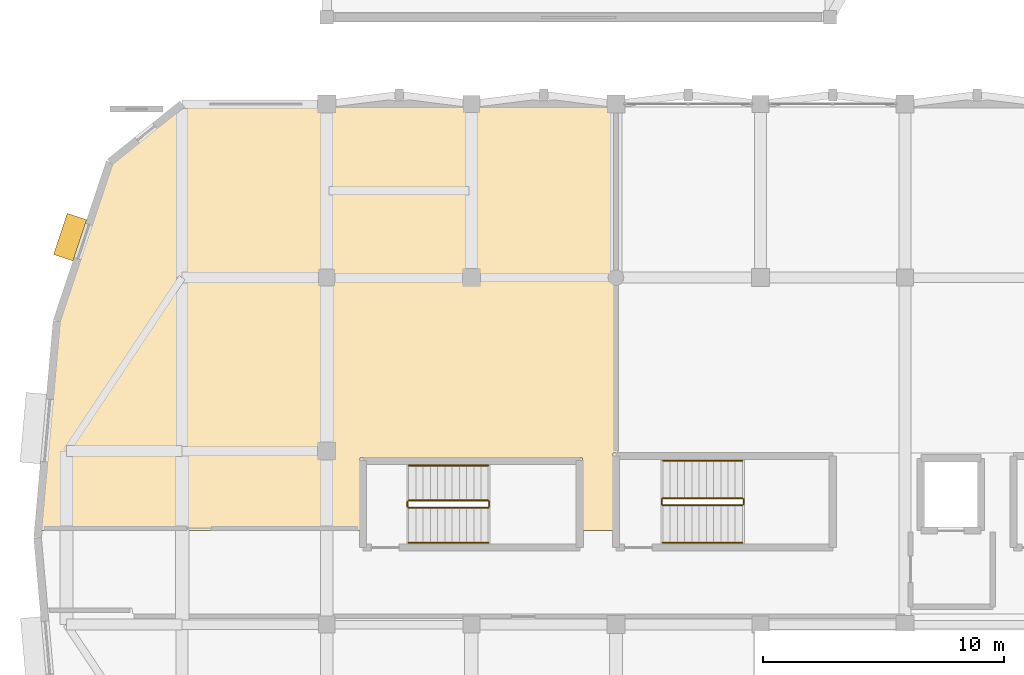
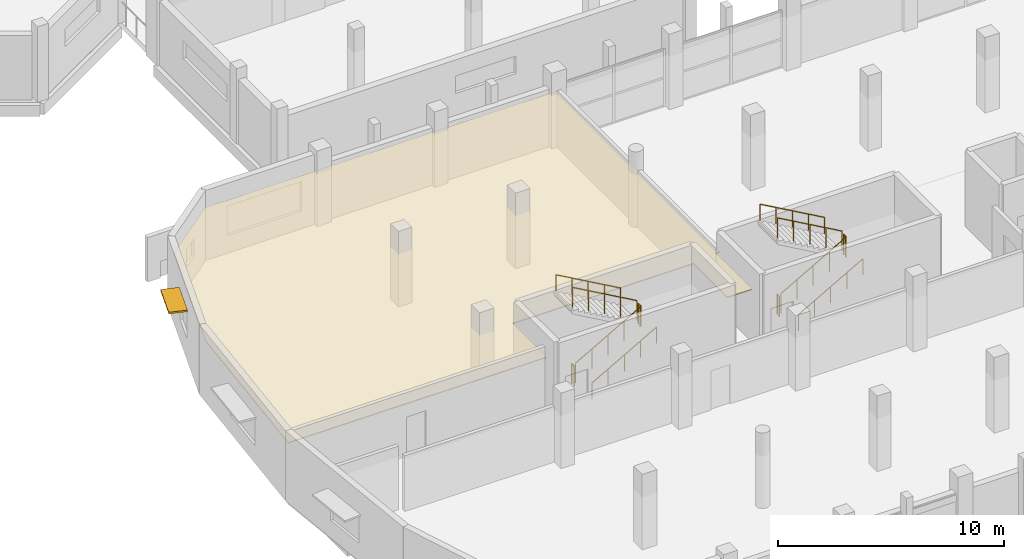
# One storey, part 115 of 127: 12 railings, 1 covering, 1 shading device.
"""IFC4 building model written with IfcOpenShell, lengths in metres."""

from ifc_helpers import new_model, si_unit, direction, frame, origin, origin_2d, place, context, subcontext, project, spatial, polyline, rectangle, circle, outline, extrude, material, layer, layer_set, type_object, element, save


model = new_model("IFC4")

# Units and contexts
model_context = context("Model", 3, precision=1e-05, world=origin(), true_north=direction((0.0, 1.0)))
body_context = subcontext(model_context, "Body", "Model", "MODEL_VIEW")
ifc_project = project(units=[si_unit("LENGTHUNIT", "METRE"), si_unit("AREAUNIT", "SQUARE_METRE"), si_unit("VOLUMEUNIT", "CUBIC_METRE"), si_unit("PLANEANGLEUNIT", "RADIAN"), si_unit("MASSUNIT", "GRAM", prefix="KILO")], contexts=[model_context])

# Site, building, storey
site_placement = place(None, origin())
site = spatial("IfcSite", under=ifc_project, at=site_placement, CompositionType="ELEMENT")
building_placement = place(site_placement, origin())
building = spatial("IfcBuilding", under=site, at=building_placement, Name="Dunvalen Ferry Terminal", CompositionType="ELEMENT")
storey_placement = place(building_placement, frame((0.0, 0.0, 5.760009765625)))
storey = spatial("IfcBuildingStorey", under=building, at=storey_placement, Name="L01", CompositionType="ELEMENT", Elevation=5.760009765625)

# Shading device
ifc_material_1 = material(Name="Anodised marine aluminium EN AW-6063 T6", Category="aluminium")
ifc_layer_1 = layer(ifc_material_1, 0.090087890625, Name="Anodised marine aluminium EN AW-6063 T6")
ifc_layer_set_1 = layer_set([ifc_layer_1], Name="Anodised marine aluminium EN AW-6063 T6")
shading_device_type = type_object("IfcShadingDeviceType", Name="ENV-SHD-AWN01", PredefinedType="AWNING", material=ifc_layer_set_1)
shading_device_placement = place(storey_placement, frame((1.3505859375, 30.47802734375, 2.68505859375), z_axis=(0.0, 0.0, 1.0), x_axis=(-0.316232085723, -0.948681858138, 0.0)))
element("IfcShadingDevice", 1, at=shading_device_placement, inside=storey, type_object=shading_device_type, Name="L01 Streamline Brise-Soleil Eyebrow 018", PredefinedType="AWNING", context=body_context, shape_type="SweptSolid", body=[
    extrude(rectangle(XDim=1.800048828125, YDim=0.85009765625, at=origin_2d()), origin(), (0.0, 0.0, 1.0), 0.090087890625),
])

# Covering
ifc_material_2 = material(Name="Moisture-resistant mineral-fibre acoustic ceiling", Category="gypsum")
ifc_layer_2 = layer(ifc_material_2, 0.050048828125, Name="Moisture-resistant mineral-fibre acoustic ceiling")
ifc_layer_set_2 = layer_set([ifc_layer_2], Name="Moisture-resistant mineral-fibre acoustic ceiling")
covering_type = type_object("IfcCoveringType", Name="INT-COV-CLG02", PredefinedType="CEILING", material=ifc_layer_set_2)
covering_placement = place(storey_placement, frame((0.0, 0.0, 2.800048828125)))
element("IfcCovering", 2, at=covering_placement, inside=storey, type_object=covering_type, Name="L01 Marine Safety Equipment Store Acoustic Suspended Ceiling", PredefinedType="CEILING", context=body_context, shape_type="SweptSolid", body=[
    extrude(outline(polyline([(22.6201171875, 21.3173828125), (22.6201171875, 18.31005859375), (23.8798828125, 18.31005859375), (23.88037109375, 21.51806640625), (24.090087890625, 21.521484375), (24.090087890625, 35.8701171875), (6.0458984375, 35.8701171875), (3.111328125, 33.51123046875), (0.931884765625, 26.973388671875), (0.158203125, 18.31005859375), (13.3798828125, 18.31005859375), (13.3798828125, 21.3154296875), (22.6201171875, 21.3173828125)])), origin(), (0.0, 0.0, 1.0), 0.050048828125),
])

# Railings
ifc_material_3 = material(Name="Painted galvanised steel S275", Category="steel")
railing_type_1 = type_object("IfcRailingType", Name="INT-RL-STGRD", PredefinedType="GUARDRAIL", material=ifc_material_3)
railing_1_placement = place(storey_placement, frame((25.949951171875, 19.35009765625, 0.169921875)))
element("IfcRailing", 3, at=railing_1_placement, inside=storey, type_object=railing_type_1, Name="L01 ST1 stair guard 1", PredefinedType="GUARDRAIL", context=body_context, shape_type="SweptSolid", body=[
    extrude(circle(Radius=0.02392578125, at=origin_2d()), frame((0.0, 0.0, 1.076171875), z_axis=(0.870012062771, 0.0, 0.493030435808), x_axis=(0.0, 1.0, 0.0)), (0.0, 0.0, 1.0), 3.793212890625),
    extrude(circle(Radius=0.02099609375, at=origin_2d()), origin(), (0.0, 0.0, 1.0), 1.052001953125),
    extrude(circle(Radius=0.02099609375, at=origin_2d()), frame((0.824951171875, 0.0, 0.467529296875)), (0.0, 0.0, 1.0), 1.052001953125),
    extrude(circle(Radius=0.02099609375, at=origin_2d()), frame((1.64990234375, 0.0, 0.93505859375)), (0.0, 0.0, 1.0), 1.052001953125),
    extrude(circle(Radius=0.02099609375, at=origin_2d()), frame((2.47509765625, 0.0, 1.402587890625)), (0.0, 0.0, 1.0), 1.052001953125),
    extrude(circle(Radius=0.02099609375, at=origin_2d()), frame((3.300048828125, 0.0, 1.8701171875)), (0.0, 0.0, 1.0), 1.052001953125),
])
railing_2_placement = place(storey_placement, frame((29.300048828125, 19.39990234375, 2.0400390625)))
element("IfcRailing", 4, at=railing_2_placement, inside=storey, type_object=railing_type_1, Name="L01 ST1 stair guard 2", PredefinedType="GUARDRAIL", context=body_context, shape_type="SweptSolid", body=[
    extrude(circle(Radius=0.02392578125, at=origin_2d()), frame((0.0, 0.0, 1.076171875), z_axis=(0.0, 1.0, 0.0), x_axis=(-1.0, 0.0, 0.0)), (0.0, 0.0, 1.0), 0.2001953125),
    extrude(circle(Radius=0.02099609375, at=origin_2d()), origin(), (0.0, 0.0, 1.0), 1.052001953125),
    extrude(circle(Radius=0.02099609375, at=origin_2d()), frame((0.0, 0.2001953125, 0.0)), (0.0, 0.0, 1.0), 1.052001953125),
])
railing_3_placement = place(storey_placement, frame((29.25, 19.64990234375, 2.2099609375)))
element("IfcRailing", 5, at=railing_3_placement, inside=storey, type_object=railing_type_1, Name="L01 ST1 stair guard 3", PredefinedType="GUARDRAIL", context=body_context, shape_type="SweptSolid", body=[
    extrude(circle(Radius=0.02392578125, at=origin_2d()), frame((0.0, 0.0, 1.076171875), z_axis=(-0.870012062771, 0.0, 0.493030435808), x_axis=(0.0, -1.0, 0.0)), (0.0, 0.0, 1.0), 3.793212890625),
    extrude(circle(Radius=0.02099609375, at=origin_2d()), origin(), (0.0, 0.0, 1.0), 1.052001953125),
    extrude(circle(Radius=0.02099609375, at=origin_2d()), frame((-0.824951171875, 0.0, 0.467529296875)), (0.0, 0.0, 1.0), 1.052001953125),
    extrude(circle(Radius=0.02099609375, at=origin_2d()), frame((-1.64990234375, 0.0, 0.93505859375)), (0.0, 0.0, 1.0), 1.052001953125),
    extrude(circle(Radius=0.02099609375, at=origin_2d()), frame((-2.47509765625, 0.0, 1.402587890625)), (0.0, 0.0, 1.0), 1.052001953125),
    extrude(circle(Radius=0.02099609375, at=origin_2d()), frame((-3.300048828125, 0.0, 1.8701171875)), (0.0, 0.0, 1.0), 1.052001953125),
])
railing_4_placement = place(storey_placement, frame((25.89990234375, 19.39990234375, 0.0)))
element("IfcRailing", 6, at=railing_4_placement, inside=storey, type_object=railing_type_1, Name="L01 ST1 stair guard 4", PredefinedType="GUARDRAIL", context=body_context, shape_type="SweptSolid", body=[
    extrude(circle(Radius=0.02392578125, at=origin_2d()), frame((0.0, 0.0, 1.076171875), z_axis=(0.0, 1.0, 0.0), x_axis=(-1.0, 0.0, 0.0)), (0.0, 0.0, 1.0), 0.2001953125),
    extrude(circle(Radius=0.02099609375, at=origin_2d()), origin(), (0.0, 0.0, 1.0), 1.052001953125),
    extrude(circle(Radius=0.02099609375, at=origin_2d()), frame((0.0, 0.2001953125, 0.0)), (0.0, 0.0, 1.0), 1.052001953125),
])
railing_5_placement = place(storey_placement, frame((15.39990234375, 19.25, 0.169921875)))
element("IfcRailing", 7, at=railing_5_placement, inside=storey, type_object=railing_type_1, Name="L01 ST5 stair guard 1", PredefinedType="GUARDRAIL", context=body_context, shape_type="SweptSolid", body=[
    extrude(circle(Radius=0.02392578125, at=origin_2d()), frame((0.0, 0.0, 1.076171875), z_axis=(0.870012062771, 0.0, 0.493030435808), x_axis=(0.0, 1.0, 0.0)), (0.0, 0.0, 1.0), 3.793212890625),
    extrude(circle(Radius=0.02099609375, at=origin_2d()), origin(), (0.0, 0.0, 1.0), 1.052001953125),
    extrude(circle(Radius=0.02099609375, at=origin_2d()), frame((0.824951171875, 0.0, 0.467529296875)), (0.0, 0.0, 1.0), 1.052001953125),
    extrude(circle(Radius=0.02099609375, at=origin_2d()), frame((1.64990234375, 0.0, 0.93505859375)), (0.0, 0.0, 1.0), 1.052001953125),
    extrude(circle(Radius=0.02099609375, at=origin_2d()), frame((2.47509765625, 0.0, 1.402587890625)), (0.0, 0.0, 1.0), 1.052001953125),
    extrude(circle(Radius=0.02099609375, at=origin_2d()), frame((3.300048828125, 0.0, 1.8701171875)), (0.0, 0.0, 1.0), 1.052001953125),
])
railing_6_placement = place(storey_placement, frame((18.75, 19.300048828125, 2.0400390625)))
element("IfcRailing", 8, at=railing_6_placement, inside=storey, type_object=railing_type_1, Name="L01 ST5 stair guard 2", PredefinedType="GUARDRAIL", context=body_context, shape_type="SweptSolid", body=[
    extrude(circle(Radius=0.02392578125, at=origin_2d()), frame((0.0, 0.0, 1.076171875), z_axis=(0.0, 1.0, 0.0), x_axis=(-1.0, 0.0, 0.0)), (0.0, 0.0, 1.0), 0.199951171875),
    extrude(circle(Radius=0.02099609375, at=origin_2d()), origin(), (0.0, 0.0, 1.0), 1.052001953125),
    extrude(circle(Radius=0.02099609375, at=origin_2d()), frame((0.0, 0.199951171875, 0.0)), (0.0, 0.0, 1.0), 1.052001953125),
])
railing_7_placement = place(storey_placement, frame((18.699951171875, 19.550048828125, 2.2099609375)))
element("IfcRailing", 9, at=railing_7_placement, inside=storey, type_object=railing_type_1, Name="L01 ST5 stair guard 3", PredefinedType="GUARDRAIL", context=body_context, shape_type="SweptSolid", body=[
    extrude(circle(Radius=0.02392578125, at=origin_2d()), frame((0.0, 0.0, 1.076171875), z_axis=(-0.870012062771, 0.0, 0.493030435808), x_axis=(0.0, -1.0, 0.0)), (0.0, 0.0, 1.0), 3.793212890625),
    extrude(circle(Radius=0.02099609375, at=origin_2d()), origin(), (0.0, 0.0, 1.0), 1.052001953125),
    extrude(circle(Radius=0.02099609375, at=origin_2d()), frame((-0.824951171875, 0.0, 0.467529296875)), (0.0, 0.0, 1.0), 1.052001953125),
    extrude(circle(Radius=0.02099609375, at=origin_2d()), frame((-1.64990234375, 0.0, 0.93505859375)), (0.0, 0.0, 1.0), 1.052001953125),
    extrude(circle(Radius=0.02099609375, at=origin_2d()), frame((-2.47509765625, 0.0, 1.402587890625)), (0.0, 0.0, 1.0), 1.052001953125),
    extrude(circle(Radius=0.02099609375, at=origin_2d()), frame((-3.300048828125, 0.0, 1.8701171875)), (0.0, 0.0, 1.0), 1.052001953125),
])
railing_8_placement = place(storey_placement, frame((15.35009765625, 19.300048828125, 0.0)))
element("IfcRailing", 10, at=railing_8_placement, inside=storey, type_object=railing_type_1, Name="L01 ST5 stair guard 4", PredefinedType="GUARDRAIL", context=body_context, shape_type="SweptSolid", body=[
    extrude(circle(Radius=0.02392578125, at=origin_2d()), frame((0.0, 0.0, 1.076171875), z_axis=(0.0, 1.0, 0.0), x_axis=(-1.0, 0.0, 0.0)), (0.0, 0.0, 1.0), 0.199951171875),
    extrude(circle(Radius=0.02099609375, at=origin_2d()), origin(), (0.0, 0.0, 1.0), 1.052001953125),
    extrude(circle(Radius=0.02099609375, at=origin_2d()), frame((0.0, 0.199951171875, 0.0)), (0.0, 0.0, 1.0), 1.052001953125),
])
ifc_material_4 = material(Name="Brushed 316 stainless steel", Category="steel")
railing_type_2 = type_object("IfcRailingType", Name="INT-RL-STHND", PredefinedType="HANDRAIL", material=ifc_material_4)
railing_9_placement = place(storey_placement, frame((25.949951171875, 17.800048828125, 0.169921875)))
element("IfcRailing", 11, at=railing_9_placement, inside=storey, type_object=railing_type_2, Name="L01 ST1 stair handrail 1", PredefinedType="HANDRAIL", context=body_context, shape_type="SweptSolid", body=[
    extrude(circle(Radius=0.02392578125, at=origin_2d()), frame((0.0, 0.0, 0.8759765625), z_axis=(0.870012062771, 0.0, 0.493030435808), x_axis=(0.0, 1.0, 0.0)), (0.0, 0.0, 1.0), 3.793212890625),
    extrude(circle(Radius=0.02099609375, at=origin_2d()), origin(), (0.0, 0.0, 1.0), 0.851806640625),
    extrude(circle(Radius=0.02099609375, at=origin_2d()), frame((0.824951171875, 0.0, 0.467529296875)), (0.0, 0.0, 1.0), 0.851806640625),
    extrude(circle(Radius=0.02099609375, at=origin_2d()), frame((1.64990234375, 0.0, 0.93505859375)), (0.0, 0.0, 1.0), 0.851806640625),
    extrude(circle(Radius=0.02099609375, at=origin_2d()), frame((2.47509765625, 0.0, 1.402587890625)), (0.0, 0.0, 1.0), 0.851806640625),
    extrude(circle(Radius=0.02099609375, at=origin_2d()), frame((3.300048828125, 0.0, 1.8701171875)), (0.0, 0.0, 1.0), 0.851806640625),
])
railing_10_placement = place(storey_placement, frame((29.25, 21.199951171875, 2.2099609375)))
element("IfcRailing", 12, at=railing_10_placement, inside=storey, type_object=railing_type_2, Name="L01 ST1 stair handrail 2", PredefinedType="HANDRAIL", context=body_context, shape_type="SweptSolid", body=[
    extrude(circle(Radius=0.02392578125, at=origin_2d()), frame((0.0, 0.0, 0.8759765625), z_axis=(-0.870012062771, 0.0, 0.493030435808), x_axis=(0.0, -1.0, 0.0)), (0.0, 0.0, 1.0), 3.793212890625),
    extrude(circle(Radius=0.02099609375, at=origin_2d()), origin(), (0.0, 0.0, 1.0), 0.851806640625),
    extrude(circle(Radius=0.02099609375, at=origin_2d()), frame((-0.824951171875, 0.0, 0.467529296875)), (0.0, 0.0, 1.0), 0.851806640625),
    extrude(circle(Radius=0.02099609375, at=origin_2d()), frame((-1.64990234375, 0.0, 0.93505859375)), (0.0, 0.0, 1.0), 0.851806640625),
    extrude(circle(Radius=0.02099609375, at=origin_2d()), frame((-2.47509765625, 0.0, 1.402587890625)), (0.0, 0.0, 1.0), 0.851806640625),
    extrude(circle(Radius=0.02099609375, at=origin_2d()), frame((-3.300048828125, 0.0, 1.8701171875)), (0.0, 0.0, 1.0), 0.851806640625),
])
railing_11_placement = place(storey_placement, frame((15.39990234375, 17.800048828125, 0.169921875)))
element("IfcRailing", 13, at=railing_11_placement, inside=storey, type_object=railing_type_2, Name="L01 ST5 stair handrail 1", PredefinedType="HANDRAIL", context=body_context, shape_type="SweptSolid", body=[
    extrude(circle(Radius=0.02392578125, at=origin_2d()), frame((0.0, 0.0, 0.8759765625), z_axis=(0.870012062771, 0.0, 0.493030435808), x_axis=(0.0, 1.0, 0.0)), (0.0, 0.0, 1.0), 3.793212890625),
    extrude(circle(Radius=0.02099609375, at=origin_2d()), origin(), (0.0, 0.0, 1.0), 0.851806640625),
    extrude(circle(Radius=0.02099609375, at=origin_2d()), frame((0.824951171875, 0.0, 0.467529296875)), (0.0, 0.0, 1.0), 0.851806640625),
    extrude(circle(Radius=0.02099609375, at=origin_2d()), frame((1.64990234375, 0.0, 0.93505859375)), (0.0, 0.0, 1.0), 0.851806640625),
    extrude(circle(Radius=0.02099609375, at=origin_2d()), frame((2.47509765625, 0.0, 1.402587890625)), (0.0, 0.0, 1.0), 0.851806640625),
    extrude(circle(Radius=0.02099609375, at=origin_2d()), frame((3.300048828125, 0.0, 1.8701171875)), (0.0, 0.0, 1.0), 0.851806640625),
])
railing_12_placement = place(storey_placement, frame((18.699951171875, 21.0, 2.2099609375)))
element("IfcRailing", 14, at=railing_12_placement, inside=storey, type_object=railing_type_2, Name="L01 ST5 stair handrail 2", PredefinedType="HANDRAIL", context=body_context, shape_type="SweptSolid", body=[
    extrude(circle(Radius=0.02392578125, at=origin_2d()), frame((0.0, 0.0, 0.8759765625), z_axis=(-0.870012062771, 0.0, 0.493030435808), x_axis=(0.0, -1.0, 0.0)), (0.0, 0.0, 1.0), 3.793212890625),
    extrude(circle(Radius=0.02099609375, at=origin_2d()), origin(), (0.0, 0.0, 1.0), 0.851806640625),
    extrude(circle(Radius=0.02099609375, at=origin_2d()), frame((-0.824951171875, 0.0, 0.467529296875)), (0.0, 0.0, 1.0), 0.851806640625),
    extrude(circle(Radius=0.02099609375, at=origin_2d()), frame((-1.64990234375, 0.0, 0.93505859375)), (0.0, 0.0, 1.0), 0.851806640625),
    extrude(circle(Radius=0.02099609375, at=origin_2d()), frame((-2.47509765625, 0.0, 1.402587890625)), (0.0, 0.0, 1.0), 0.851806640625),
    extrude(circle(Radius=0.02099609375, at=origin_2d()), frame((-3.300048828125, 0.0, 1.8701171875)), (0.0, 0.0, 1.0), 0.851806640625),
])

save(model, "model.ifc")
